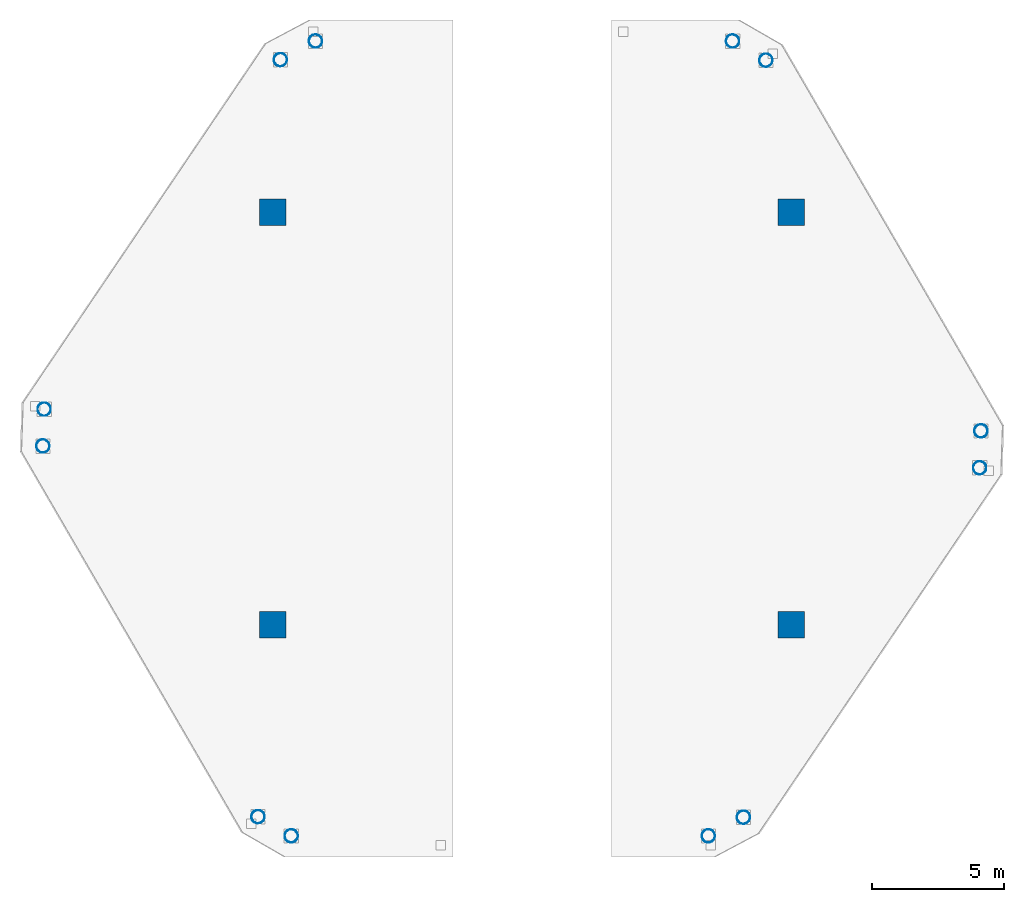
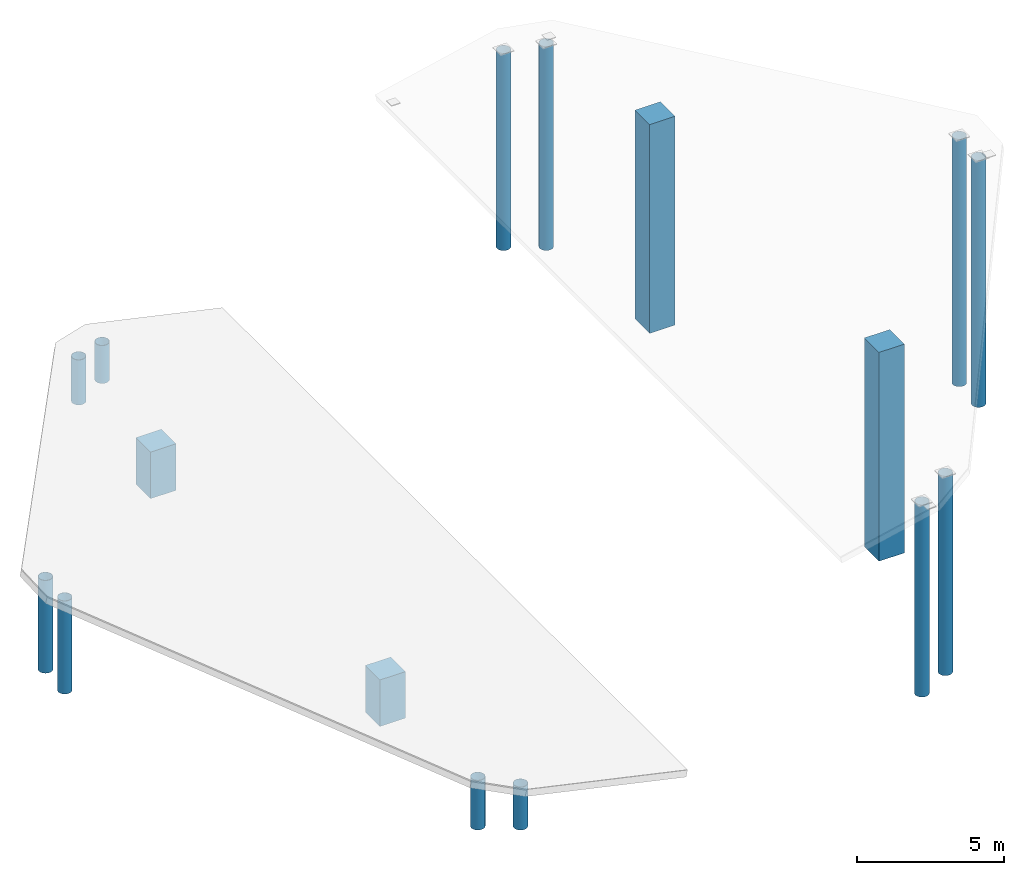
# One storey, part 1 of 3: 16 columns.
"""IFC4 building model written with IfcOpenShell, lengths in metres."""

from ifc_helpers import new_model, si_unit, direction, frame, origin, origin_2d, place, context, subcontext, project, spatial, rectangle, hollow_circle, extrude, source, transform, mapped, material, material_profile, profile_set, type_object, type_shapes, element, save


model = new_model("IFC4")

# Units and contexts
model_context = context("Model", 3, precision=1e-05, world=origin(), true_north=direction((0.0, 1.0)))
body_context = subcontext(model_context, "Body", "Model", "MODEL_VIEW")
ifc_project = project(units=[si_unit("LENGTHUNIT", "METRE"), si_unit("AREAUNIT", "SQUARE_METRE"), si_unit("VOLUMEUNIT", "CUBIC_METRE"), si_unit("PLANEANGLEUNIT", "RADIAN"), si_unit("MASSUNIT", "GRAM", prefix="KILO")], contexts=[model_context])

# Site, building, storey
site_placement = place(None, origin())
site = spatial("IfcSite", under=ifc_project, at=site_placement, CompositionType="ELEMENT")
building_placement = place(site_placement, origin())
building = spatial("IfcBuilding", under=site, at=building_placement, Name="Durnholm Broadcast Tower", CompositionType="ELEMENT")
storey_placement = place(building_placement, frame((0.0, 0.0, 292.0)))
storey = spatial("IfcBuildingStorey", under=building, at=storey_placement, Name="RF", CompositionType="ELEMENT", Elevation=292.0)

# Columns
ifc_material_1 = material(Name="Concrete C70/85", Category="concrete")
ifc_material_profile_1 = material_profile(ifc_material_1, rectangle(XDim=1.0, YDim=1.0, at=origin_2d()), Name="RC1000X1000")
ifc_profile_set_1 = profile_set([ifc_material_profile_1], Name="Concrete C70/85")
column_type_1 = type_object("IfcColumnType", Name="COL-CC-1000", PredefinedType="COLUMN", material=ifc_profile_set_1)
shared_shape_1 = source(origin(), body_context, "Body", "SweptSolid", [
    extrude(rectangle(XDim=1.0, YDim=1.0, at=origin_2d()), origin(), (0.0, 0.0, 1.0), 1.93359375),
])
for number, where, z_axis, x_axis, name in (
    (1, (-9.800048828125, -7.800048828125, -0.280029296875), (0.0, 0.0, 1.0), (1.0, 0.0, 0.0), "RF core roof stub column 1"),
    (2, (-9.800048828125, 7.800048828125, -0.280029296875), (0.0, 0.0, 1.0), (1.0, 0.0, 0.0), "RF core roof stub column 4"),
):
    element("IfcColumn", number, at=place(storey_placement, frame(where, z_axis=z_axis, x_axis=x_axis)), inside=storey, type_object=column_type_1, Name=name, PredefinedType="COLUMN", context=body_context, shape_type="MappedRepresentation", body=[
        mapped(shared_shape_1, transform((0.0, 0.0, 0.0), x_axis=(1.0, 0.0, 0.0), y_axis=(0.0, 1.0, 0.0), z_axis=(0.0, 0.0, 1.0), scale=1.0)),
    ])
shared_shape_2 = source(origin(), body_context, "Body", "SweptSolid", [
    extrude(rectangle(XDim=1.0, YDim=1.0, at=origin_2d()), origin(), (0.0, 0.0, 1.0), 8.67138671875),
])
type_shapes(column_type_1, [shared_shape_1, shared_shape_2])
for number, where, z_axis, x_axis, name in (
    (3, (9.800048828125, -7.800048828125, -0.280029296875), (0.0, 0.0, 1.0), (1.0, 0.0, 0.0), "RF core roof stub column 2"),
    (4, (9.800048828125, 7.800048828125, -0.280029296875), (0.0, 0.0, 1.0), (1.0, 0.0, 0.0), "RF core roof stub column 3"),
):
    element("IfcColumn", number, at=place(storey_placement, frame(where, z_axis=z_axis, x_axis=x_axis)), inside=storey, type_object=column_type_1, Name=name, PredefinedType="COLUMN", context=body_context, shape_type="MappedRepresentation", body=[
        mapped(shared_shape_2, transform((0.0, 0.0, 0.0), x_axis=(1.0, 0.0, 0.0), y_axis=(0.0, 1.0, 0.0), z_axis=(0.0, 0.0, 1.0), scale=1.0)),
    ])
ifc_material_2 = material(Name="Steel ASTM A500 Grade C", Category="steel")
ifc_material_profile_2 = material_profile(ifc_material_2, hollow_circle(Radius=0.25390625, WallThickness=0.01171875, at=origin_2d()), Name="HSS20.000X0.500")
ifc_profile_set_2 = profile_set([ifc_material_profile_2], Name="Steel ASTM A500 Grade C")
column_type_2 = type_object("IfcColumnType", Name="STL-SC-CHS20", PredefinedType="COLUMN", material=ifc_profile_set_2)
shared_shape_3 = source(origin(), body_context, "Body", "SweptSolid", [
    extrude(hollow_circle(Radius=0.25390625, WallThickness=0.01171875, at=origin_2d()), origin(), (0.0, 0.0, 1.0), 2.05810546875),
])
column_1_placement = place(storey_placement, frame((-10.361328125, -15.061767578125, -0.280029296875), z_axis=(0.0, 0.0, 1.0), x_axis=(1.0, 0.0, 0.0)))
element("IfcColumn", 5, at=column_1_placement, inside=storey, type_object=column_type_2, Name="RF perimeter roof stub column 01", PredefinedType="COLUMN", context=body_context, shape_type="MappedRepresentation", body=[
    mapped(shared_shape_3, transform((0.0, 0.0, 0.0), x_axis=(1.0, 0.0, 0.0), y_axis=(0.0, 1.0, 0.0), z_axis=(0.0, 0.0, 1.0), scale=1.0)),
])
shared_shape_4 = source(origin(), body_context, "Body", "SweptSolid", [
    extrude(hollow_circle(Radius=0.25390625, WallThickness=0.01171875, at=origin_2d()), origin(), (0.0, 0.0, 1.0), 3.861083984375),
])
column_2_placement = place(storey_placement, frame((-18.494384765625, -1.0478515625, -0.280029296875), z_axis=(0.0, 0.0, 1.0), x_axis=(1.0, 0.0, 0.0)))
element("IfcColumn", 6, at=column_2_placement, inside=storey, type_object=column_type_2, Name="RF perimeter roof stub column 02", PredefinedType="COLUMN", context=body_context, shape_type="MappedRepresentation", body=[
    mapped(shared_shape_4, transform((0.0, 0.0, 0.0), x_axis=(1.0, 0.0, 0.0), y_axis=(0.0, 1.0, 0.0), z_axis=(0.0, 0.0, 1.0), scale=1.0)),
])
shared_shape_5 = source(origin(), body_context, "Body", "SweptSolid", [
    extrude(hollow_circle(Radius=0.25390625, WallThickness=0.01171875, at=origin_2d()), origin(), (0.0, 0.0, 1.0), 3.850341796875),
])
column_3_placement = place(storey_placement, frame((-18.4462890625, 0.345947265625, -0.280029296875), z_axis=(0.0, 0.0, 1.0), x_axis=(1.0, 0.0, 0.0)))
element("IfcColumn", 7, at=column_3_placement, inside=storey, type_object=column_type_2, Name="RF perimeter roof stub column 03", PredefinedType="COLUMN", context=body_context, shape_type="MappedRepresentation", body=[
    mapped(shared_shape_5, transform((0.0, 0.0, 0.0), x_axis=(1.0, 0.0, 0.0), y_axis=(0.0, 1.0, 0.0), z_axis=(0.0, 0.0, 1.0), scale=1.0)),
])
shared_shape_6 = source(origin(), body_context, "Body", "SweptSolid", [
    extrude(hollow_circle(Radius=0.25390625, WallThickness=0.01171875, at=origin_2d()), origin(), (0.0, 0.0, 1.0), 1.870361328125),
])
column_4_placement = place(storey_placement, frame((-9.514892578125, 13.557373046875, -0.280029296875), z_axis=(0.0, 0.0, 1.0), x_axis=(1.0, 0.0, 0.0)))
element("IfcColumn", 8, at=column_4_placement, inside=storey, type_object=column_type_2, Name="RF perimeter roof stub column 04", PredefinedType="COLUMN", context=body_context, shape_type="MappedRepresentation", body=[
    mapped(shared_shape_6, transform((0.0, 0.0, 0.0), x_axis=(1.0, 0.0, 0.0), y_axis=(0.0, 1.0, 0.0), z_axis=(0.0, 0.0, 1.0), scale=1.0)),
])
shared_shape_7 = source(origin(), body_context, "Body", "SweptSolid", [
    extrude(hollow_circle(Radius=0.25390625, WallThickness=0.01171875, at=origin_2d()), origin(), (0.0, 0.0, 1.0), 1.576171875),
])
column_5_placement = place(storey_placement, frame((-8.187744140625, 14.261962890625, -0.280029296875), z_axis=(0.0, 0.0, 1.0), x_axis=(1.0, 0.0, 0.0)))
element("IfcColumn", 9, at=column_5_placement, inside=storey, type_object=column_type_2, Name="RF perimeter roof stub column 05", PredefinedType="COLUMN", context=body_context, shape_type="MappedRepresentation", body=[
    mapped(shared_shape_7, transform((0.0, 0.0, 0.0), x_axis=(1.0, 0.0, 0.0), y_axis=(0.0, 1.0, 0.0), z_axis=(0.0, 0.0, 1.0), scale=1.0)),
])
shared_shape_8 = source(origin(), body_context, "Body", "SweptSolid", [
    extrude(hollow_circle(Radius=0.25390625, WallThickness=0.01171875, at=origin_2d()), origin(), (0.0, 0.0, 1.0), 8.17919921875),
])
column_6_placement = place(storey_placement, frame((7.57958984375, 14.261962890625, -0.280029296875), z_axis=(0.0, 0.0, 1.0), x_axis=(1.0, 0.0, 0.0)))
element("IfcColumn", 10, at=column_6_placement, inside=storey, type_object=column_type_2, Name="RF perimeter roof stub column 06", PredefinedType="COLUMN", context=body_context, shape_type="MappedRepresentation", body=[
    mapped(shared_shape_8, transform((0.0, 0.0, 0.0), x_axis=(1.0, 0.0, 0.0), y_axis=(0.0, 1.0, 0.0), z_axis=(0.0, 0.0, 1.0), scale=1.0)),
])
shared_shape_9 = source(origin(), body_context, "Body", "SweptSolid", [
    extrude(hollow_circle(Radius=0.25390625, WallThickness=0.01171875, at=origin_2d()), origin(), (0.0, 0.0, 1.0), 8.4580078125),
])
column_7_placement = place(storey_placement, frame((8.83740234375, 13.53759765625, -0.280029296875), z_axis=(0.0, 0.0, 1.0), x_axis=(1.0, 0.0, 0.0)))
element("IfcColumn", 11, at=column_7_placement, inside=storey, type_object=column_type_2, Name="RF perimeter roof stub column 07", PredefinedType="COLUMN", context=body_context, shape_type="MappedRepresentation", body=[
    mapped(shared_shape_9, transform((0.0, 0.0, 0.0), x_axis=(1.0, 0.0, 0.0), y_axis=(0.0, 1.0, 0.0), z_axis=(0.0, 0.0, 1.0), scale=1.0)),
])
shared_shape_10 = source(origin(), body_context, "Body", "SweptSolid", [
    extrude(hollow_circle(Radius=0.25390625, WallThickness=0.01171875, at=origin_2d()), origin(), (0.0, 0.0, 1.0), 10.260986328125),
])
column_8_placement = place(storey_placement, frame((16.97021484375, -0.47607421875, -0.280029296875), z_axis=(0.0, 0.0, 1.0), x_axis=(1.0, 0.0, 0.0)))
element("IfcColumn", 12, at=column_8_placement, inside=storey, type_object=column_type_2, Name="RF perimeter roof stub column 08", PredefinedType="COLUMN", context=body_context, shape_type="MappedRepresentation", body=[
    mapped(shared_shape_10, transform((0.0, 0.0, 0.0), x_axis=(1.0, 0.0, 0.0), y_axis=(0.0, 1.0, 0.0), z_axis=(0.0, 0.0, 1.0), scale=1.0)),
])
shared_shape_11 = source(origin(), body_context, "Body", "SweptSolid", [
    extrude(hollow_circle(Radius=0.25390625, WallThickness=0.01171875, at=origin_2d()), origin(), (0.0, 0.0, 1.0), 10.25048828125),
])
column_9_placement = place(storey_placement, frame((16.92236328125, -1.869873046875, -0.280029296875), z_axis=(0.0, 0.0, 1.0), x_axis=(1.0, 0.0, 0.0)))
element("IfcColumn", 13, at=column_9_placement, inside=storey, type_object=column_type_2, Name="RF perimeter roof stub column 09", PredefinedType="COLUMN", context=body_context, shape_type="MappedRepresentation", body=[
    mapped(shared_shape_11, transform((0.0, 0.0, 0.0), x_axis=(1.0, 0.0, 0.0), y_axis=(0.0, 1.0, 0.0), z_axis=(0.0, 0.0, 1.0), scale=1.0)),
])
shared_shape_12 = source(origin(), body_context, "Body", "SweptSolid", [
    extrude(hollow_circle(Radius=0.25390625, WallThickness=0.01171875, at=origin_2d()), origin(), (0.0, 0.0, 1.0), 8.270263671875),
])
column_10_placement = place(storey_placement, frame((7.990966796875, -15.081298828125, -0.280029296875), z_axis=(0.0, 0.0, 1.0), x_axis=(1.0, 0.0, 0.0)))
element("IfcColumn", 14, at=column_10_placement, inside=storey, type_object=column_type_2, Name="RF perimeter roof stub column 10", PredefinedType="COLUMN", context=body_context, shape_type="MappedRepresentation", body=[
    mapped(shared_shape_12, transform((0.0, 0.0, 0.0), x_axis=(1.0, 0.0, 0.0), y_axis=(0.0, 1.0, 0.0), z_axis=(0.0, 0.0, 1.0), scale=1.0)),
])
shared_shape_13 = source(origin(), body_context, "Body", "SweptSolid", [
    extrude(hollow_circle(Radius=0.25390625, WallThickness=0.01171875, at=origin_2d()), origin(), (0.0, 0.0, 1.0), 7.97607421875),
])
column_11_placement = place(storey_placement, frame((6.663818359375, -15.785888671875, -0.280029296875), z_axis=(0.0, 0.0, 1.0), x_axis=(1.0, 0.0, 0.0)))
element("IfcColumn", 15, at=column_11_placement, inside=storey, type_object=column_type_2, Name="RF perimeter roof stub column 11", PredefinedType="COLUMN", context=body_context, shape_type="MappedRepresentation", body=[
    mapped(shared_shape_13, transform((0.0, 0.0, 0.0), x_axis=(1.0, 0.0, 0.0), y_axis=(0.0, 1.0, 0.0), z_axis=(0.0, 0.0, 1.0), scale=1.0)),
])
shared_shape_14 = source(origin(), body_context, "Body", "SweptSolid", [
    extrude(hollow_circle(Radius=0.25390625, WallThickness=0.01171875, at=origin_2d()), origin(), (0.0, 0.0, 1.0), 1.779296875),
])
type_shapes(column_type_2, [shared_shape_3, shared_shape_4, shared_shape_5, shared_shape_6, shared_shape_7, shared_shape_8, shared_shape_9, shared_shape_10, shared_shape_11, shared_shape_12, shared_shape_13, shared_shape_14])
column_12_placement = place(storey_placement, frame((-9.103759765625, -15.785888671875, -0.280029296875), z_axis=(0.0, 0.0, 1.0), x_axis=(1.0, 0.0, 0.0)))
element("IfcColumn", 16, at=column_12_placement, inside=storey, type_object=column_type_2, Name="RF perimeter roof stub column 12", PredefinedType="COLUMN", context=body_context, shape_type="MappedRepresentation", body=[
    mapped(shared_shape_14, transform((0.0, 0.0, 0.0), x_axis=(1.0, 0.0, 0.0), y_axis=(0.0, 1.0, 0.0), z_axis=(0.0, 0.0, 1.0), scale=1.0)),
])

save(model, "model.ifc")
